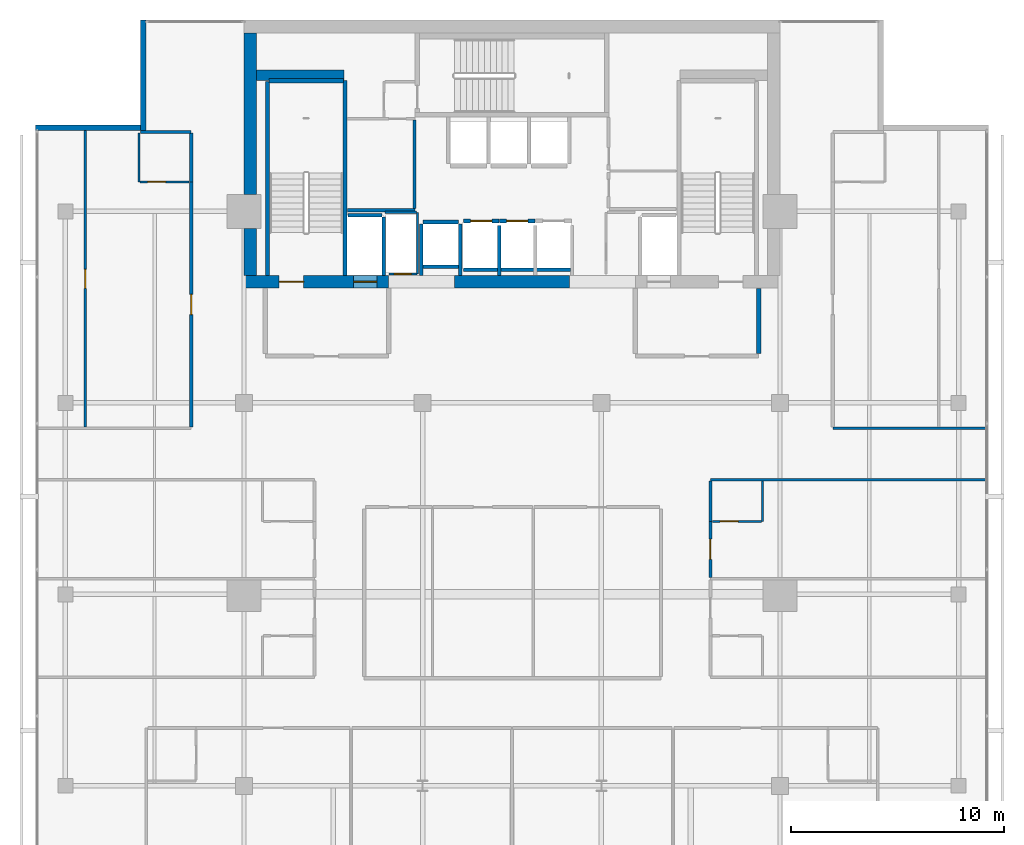
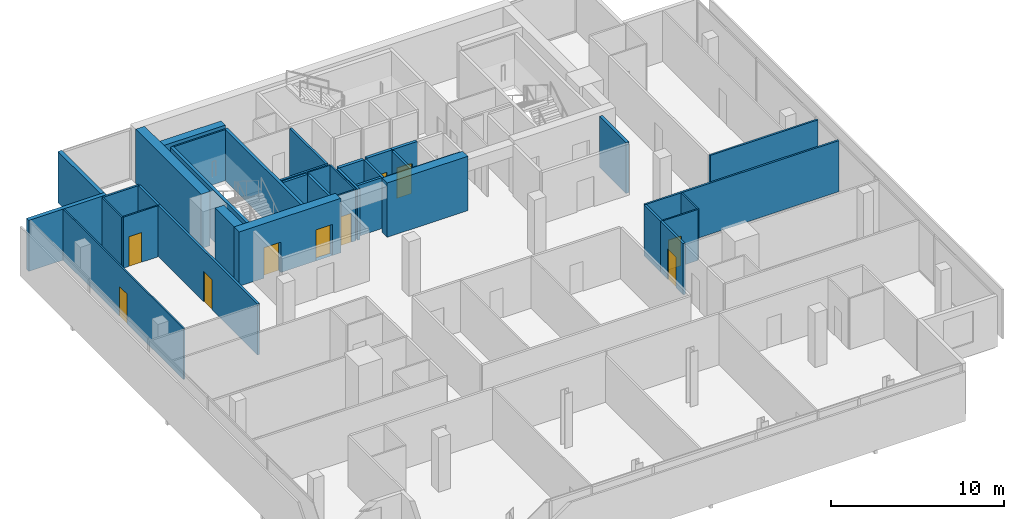
# One storey, part 21 of 25: 38 walls, 10 doors, 10 openings.
"""IFC4 building model written with IfcOpenShell, lengths in metres."""

from ifc_helpers import new_model, si_unit, direction, frame, frame_2d, origin, place, context, subcontext, project, spatial, rectangle, extrude, material, layer, layer_set, type_object, element, fill, save


model = new_model("IFC4")

# Units and contexts
model_context = context("Model", 3, precision=1e-05, world=origin(), true_north=direction((0.0, 1.0)))
body_context = subcontext(model_context, "Body", "Model", "MODEL_VIEW")
ifc_project = project(units=[si_unit("LENGTHUNIT", "METRE"), si_unit("AREAUNIT", "SQUARE_METRE"), si_unit("VOLUMEUNIT", "CUBIC_METRE"), si_unit("PLANEANGLEUNIT", "RADIAN"), si_unit("MASSUNIT", "GRAM", prefix="KILO")], contexts=[model_context])

# Site, building, storey
site_placement = place(None, origin())
site = spatial("IfcSite", under=ifc_project, at=site_placement, CompositionType="ELEMENT")
building_placement = place(site_placement, origin())
building = spatial("IfcBuilding", under=site, at=building_placement, Name="Maruvema Waterfront Hotel and Observation Tower", CompositionType="ELEMENT")
storey_placement = place(building_placement, frame((0.0, 0.0, 274.050048828125)))
storey = spatial("IfcBuildingStorey", under=building, at=storey_placement, Name="L67", CompositionType="ELEMENT", Elevation=274.050048828125)

# Walls
ifc_material_1 = material(Name="Twin-stud acoustic gypsum drywall", Category="gypsum")
ifc_layer_1 = layer(ifc_material_1, 0.14990234375, Name="Acoustic Corridor and Suite Demising Wall 150 mm")
ifc_layer_set_1 = layer_set([ifc_layer_1], Name="Twin-stud acoustic gypsum drywall")
wall_type_1 = type_object("IfcWallType", Name="Acoustic Corridor and Suite Demising Wall 150 mm", PredefinedType="PARTITIONING", material=ifc_layer_set_1)
wall_1_placement = place(storey_placement, frame((30.06005859375, 45.06005859375, 0.0), z_axis=(0.0, 0.0, 1.0), x_axis=(1.0, 0.0, 0.0)))
element("IfcWall", 1, at=wall_1_placement, inside=storey, type_object=wall_type_1, Name="L67 Freed B1 South Wall 012", PredefinedType="PARTITIONING", context=body_context, shape_type="SweptSolid", body=[
    extrude(rectangle(XDim=3.179931640625, YDim=0.14990234375, at=frame_2d((1.58984375, 0.0))), origin(), (0.0, 0.0, 1.0), 3.60986328125),
])
wall_2_placement = place(storey_placement, frame((33.219970703125, 45.139892578125, 0.0), z_axis=(0.0, 0.0, 1.0), x_axis=(0.0, 1.0, 0.0)))
element("IfcWall", 2, at=wall_2_placement, inside=storey, type_object=wall_type_1, Name="L67 Freed B1 East Wall 013", PredefinedType="PARTITIONING", context=body_context, shape_type="SweptSolid", body=[
    extrude(rectangle(XDim=4.16015625, YDim=0.14990234375, at=frame_2d((2.080078125, 0.0))), origin(), (0.0, 0.0, 1.0), 3.60986328125),
])

# Wall, opening, door
wall_3_placement = place(storey_placement, frame((47.1298828125, 27.800048828125, 0.0), z_axis=(0.0, 0.0, 1.0), x_axis=(0.0, 1.0, 0.0)))
wall_3 = element("IfcWall", 3, at=wall_3_placement, inside=storey, type_object=wall_type_1, Name="L67 Room L67-E2 Corridor Wall 062", PredefinedType="PARTITIONING", context=body_context, shape_type="SweptSolid", body=[
    extrude(rectangle(XDim=2.6298828125, YDim=0.14990234375, at=frame_2d((1.31494140625, 0.0))), origin(), (0.0, 0.0, 1.0), 3.60986328125),
])
opening_1_placement = place(wall_3_placement, frame((0.840087890625, 0.0, 0.0)))
opening_1 = element("IfcOpeningElement", 4, at=opening_1_placement, cuts=wall_3, Name="Opening DR-095", PredefinedType="OPENING", context=body_context, shape_type="SweptSolid", body=[
    extrude(rectangle(XDim=0.949951171875, YDim=2.14990234375, at=frame_2d((0.47509765625, 1.074951171875))), frame((0.0, 0.0849609375, 0.0), z_axis=(0.0, -1.0, 0.0), x_axis=(1.0, 0.0, 0.0)), (0.0, 0.0, 1.0), 0.169921875),
])
ifc_material_2 = material(Name="Acoustic solid-core hardwood timber leaf", Category="wood")
door_type_1 = type_object("IfcDoorType", Name="Guestroom Entrance Fire Door 950x2150 mm", OperationType="NOTDEFINED", PredefinedType="DOOR", material=ifc_material_2)
door_1_placement = place(opening_1_placement, frame((0.949951171875, 0.0, 0.0), z_axis=(0.0, 0.0, 1.0), x_axis=(-1.0, 0.0, 0.0)))
door_1 = element("IfcDoor", 5, at=door_1_placement, inside=storey, type_object=door_type_1, Name="L67 Room L67-E2 Entrance Door", OperationType="SINGLE_SWING_RIGHT", OverallHeight=2.14990234375, OverallWidth=0.949951171875, PredefinedType="DOOR", context=body_context, shape_type="SweptSolid", body=[
    extrude(rectangle(XDim=0.949951171875, YDim=2.14990234375, at=frame_2d((0.47509765625, 1.074951171875))), frame((0.0, 0.02490234375, 0.0), z_axis=(0.0, -1.0, 0.0), x_axis=(1.0, 0.0, 0.0)), (0.0, 0.0, 1.0), 0.050048828125),
])
fill(opening_1, door_1)

# Wall
wall_4_placement = place(storey_placement, frame((47.1298828125, 30.429931640625, 0.0), z_axis=(0.0, 0.0, 1.0), x_axis=(0.0, 1.0, 0.0)))
element("IfcWall", 6, at=wall_4_placement, inside=storey, type_object=wall_type_1, Name="L67 Bath L67-E2 Wall 063", PredefinedType="PARTITIONING", context=body_context, shape_type="SweptSolid", body=[
    extrude(rectangle(XDim=1.89013671875, YDim=0.14990234375, at=frame_2d((0.945068359375, 0.0))), origin(), (0.0, 0.0, 1.0), 3.60986328125),
])

# Wall, opening, door
wall_5_placement = place(storey_placement, frame((22.719970703125, 34.860107421875, 0.0), z_axis=(0.0, 0.0, 1.0), x_axis=(0.0, 1.0, 0.0)))
wall_5 = element("IfcWall", 7, at=wall_5_placement, inside=storey, type_object=wall_type_1, Name="L67 Room L67-NW1 Corridor Wall 070", PredefinedType="PARTITIONING", context=body_context, shape_type="SweptSolid", body=[
    extrude(rectangle(XDim=11.52734375, YDim=0.14990234375, at=frame_2d((5.763671875, 0.0))), origin(), (0.0, 0.0, 1.0), 3.60986328125),
])
opening_2_placement = place(wall_5_placement, frame((5.288818359375, 0.0, 0.0)))
opening_2 = element("IfcOpeningElement", 8, at=opening_2_placement, cuts=wall_5, Name="Opening DR-095", PredefinedType="OPENING", context=body_context, shape_type="SweptSolid", body=[
    extrude(rectangle(XDim=0.949951171875, YDim=2.14990234375, at=frame_2d((0.47509765625, 1.074951171875))), frame((0.0, 0.0849609375, 0.0), z_axis=(0.0, -1.0, 0.0), x_axis=(1.0, 0.0, 0.0)), (0.0, 0.0, 1.0), 0.169921875),
])
door_2_placement = place(opening_2_placement, origin())
door_2 = element("IfcDoor", 9, at=door_2_placement, inside=storey, type_object=door_type_1, Name="L67 Room L67-NW1 Entrance Door", OperationType="SINGLE_SWING_RIGHT", OverallHeight=2.14990234375, OverallWidth=0.949951171875, PredefinedType="DOOR", context=body_context, shape_type="SweptSolid", body=[
    extrude(rectangle(XDim=0.949951171875, YDim=2.14990234375, at=frame_2d((0.47509765625, 1.074951171875))), frame((0.0, 0.02490234375, 0.0), z_axis=(0.0, -1.0, 0.0), x_axis=(1.0, 0.0, 0.0)), (0.0, 0.0, 1.0), 0.050048828125),
])
fill(opening_2, door_2)

# Walls
wall_6_placement = place(storey_placement, frame((22.719970703125, 46.387451171875, 0.0), z_axis=(0.0, 0.0, 1.0), x_axis=(0.0, 1.0, 0.0)))
element("IfcWall", 10, at=wall_6_placement, inside=storey, type_object=wall_type_1, Name="L67 Bath L67-NW1 Wall 071", PredefinedType="PARTITIONING", context=body_context, shape_type="SweptSolid", body=[
    extrude(rectangle(XDim=2.2900390625, YDim=0.14990234375, at=frame_2d((1.14501953125, 0.0))), origin(), (0.0, 0.0, 1.0), 3.60986328125),
])
ifc_material_3 = material(Name="Precast concrete C45/55", Category="concrete")
ifc_layer_2 = layer(ifc_material_3, 0.199951171875, Name="Core Shaft and Stairwell Enclosure Wall 200 mm")
ifc_layer_set_2 = layer_set([ifc_layer_2], Name="Precast concrete C45/55")
wall_type_2 = type_object("IfcWallType", Name="Core Shaft and Stairwell Enclosure Wall 200 mm", PredefinedType="SOLIDWALL", material=ifc_layer_set_2)
wall_7_placement = place(storey_placement, frame((29.949951171875, 42.0, 0.0), z_axis=(0.0, 0.0, 1.0), x_axis=(0.0, 1.0, 0.0)))
element("IfcWall", 11, at=wall_7_placement, inside=storey, type_object=wall_type_2, Name="L67 Stairwell ST-01 East Shaft Wall", PredefinedType="SOLIDWALL", context=body_context, shape_type="SweptSolid", body=[
    extrude(rectangle(XDim=9.14990234375, YDim=0.199951171875, at=frame_2d((4.574951171875, 0.0))), origin(), (0.0, 0.0, 1.0), 3.60986328125),
])
wall_8_placement = place(storey_placement, frame((26.300048828125, 42.0, 0.0), z_axis=(0.0, 0.0, 1.0), x_axis=(0.0, 1.0, 0.0)))
element("IfcWall", 12, at=wall_8_placement, inside=storey, type_object=wall_type_2, Name="L67 Stairwell ST-01 Shaft Lining Wall", PredefinedType="SOLIDWALL", context=body_context, shape_type="SweptSolid", body=[
    extrude(rectangle(XDim=9.1201171875, YDim=0.199951171875, at=frame_2d((4.56005859375, 0.0))), origin(), (0.0, 0.0, 1.0), 3.60986328125),
])
wall_9_placement = place(storey_placement, frame((26.3798828125, 51.14990234375, 0.0), z_axis=(0.0, 0.0, 1.0), x_axis=(1.0, 0.0, 0.0)))
element("IfcWall", 13, at=wall_9_placement, inside=storey, type_object=wall_type_2, Name="L67 Stairwell ST-01 Shaft Lining Wall", PredefinedType="SOLIDWALL", context=body_context, shape_type="SweptSolid", body=[
    extrude(rectangle(XDim=3.5, YDim=0.199951171875, at=frame_2d((1.75, 0.0))), origin(), (0.0, 0.0, 1.0), 3.60986328125),
])

# Wall, opening, door
wall_10_placement = place(storey_placement, frame((35.510009765625, 44.550048828125, 0.0), z_axis=(0.0, 0.0, 1.0), x_axis=(1.0, 0.0, 0.0)))
wall_10 = element("IfcWall", 14, at=wall_10_placement, inside=storey, type_object=wall_type_2, Name="L67 Lift LF-09 Hoistway Front Wall", PredefinedType="SOLIDWALL", context=body_context, shape_type="SweptSolid", body=[
    extrude(rectangle(XDim=1.679931640625, YDim=0.199951171875, at=frame_2d((0.83984375, 0.0))), origin(), (0.0, 0.0, 1.0), 3.60986328125),
])
opening_3_placement = place(wall_10_placement, frame((0.340087890625, 0.0, 0.0)))
opening_3 = element("IfcOpeningElement", 15, at=opening_3_placement, cuts=wall_10, Name="Opening LD-01", PredefinedType="OPENING", context=body_context, shape_type="SweptSolid", body=[
    extrude(rectangle(XDim=1.0, YDim=2.14990234375, at=frame_2d((0.5, 1.074951171875))), frame((0.0, 0.10986328125, 0.0), z_axis=(0.0, -1.0, 0.0), x_axis=(1.0, 0.0, 0.0)), (0.0, 0.0, 1.0), 0.219970703125),
])
ifc_material_4 = material(Name="Brushed stainless steel Grade 316", Category="steel")
door_type_2 = type_object("IfcDoorType", Name="Passenger Lift Sliding Landing Door 1000x2150 mm", OperationType="SLIDING_TO_LEFT", PredefinedType="DOOR", material=ifc_material_4)
door_3_placement = place(opening_3_placement, origin())
door_3 = element("IfcDoor", 16, at=door_3_placement, inside=storey, type_object=door_type_2, Name="L67 Lift LF-09 Sliding Landing Door", OperationType="SLIDING_TO_LEFT", OverallHeight=2.14990234375, OverallWidth=1.0, PredefinedType="DOOR", context=body_context, shape_type="SweptSolid", body=[
    extrude(rectangle(XDim=1.0, YDim=2.14990234375, at=frame_2d((0.5, 1.074951171875))), frame((0.0, 0.02490234375, 0.0), z_axis=(0.0, -1.0, 0.0), x_axis=(1.0, 0.0, 0.0)), (0.0, 0.0, 1.0), 0.050048828125),
])
fill(opening_3, door_3)

wall_11_placement = place(storey_placement, frame((37.2099609375, 44.550048828125, 0.0), z_axis=(0.0, 0.0, 1.0), x_axis=(1.0, 0.0, 0.0)))
wall_11 = element("IfcWall", 17, at=wall_11_placement, inside=storey, type_object=wall_type_2, Name="L67 Lift LF-10 Hoistway Front Wall", PredefinedType="SOLIDWALL", context=body_context, shape_type="SweptSolid", body=[
    extrude(rectangle(XDim=1.679931640625, YDim=0.199951171875, at=frame_2d((0.83984375, 0.0))), origin(), (0.0, 0.0, 1.0), 3.60986328125),
])
opening_4_placement = place(wall_11_placement, frame((0.340087890625, 0.0, 0.0)))
opening_4 = element("IfcOpeningElement", 18, at=opening_4_placement, cuts=wall_11, Name="Opening LD-01", PredefinedType="OPENING", context=body_context, shape_type="SweptSolid", body=[
    extrude(rectangle(XDim=1.0, YDim=2.14990234375, at=frame_2d((0.5, 1.074951171875))), frame((0.0, 0.10986328125, 0.0), z_axis=(0.0, -1.0, 0.0), x_axis=(1.0, 0.0, 0.0)), (0.0, 0.0, 1.0), 0.219970703125),
])
door_4_placement = place(opening_4_placement, origin())
door_4 = element("IfcDoor", 19, at=door_4_placement, inside=storey, type_object=door_type_2, Name="L67 Lift LF-10 Sliding Landing Door", OperationType="SLIDING_TO_LEFT", OverallHeight=2.14990234375, OverallWidth=1.0, PredefinedType="DOOR", context=body_context, shape_type="SweptSolid", body=[
    extrude(rectangle(XDim=1.0, YDim=2.14990234375, at=frame_2d((0.5, 1.074951171875))), frame((0.0, 0.02490234375, 0.0), z_axis=(0.0, -1.0, 0.0), x_axis=(1.0, 0.0, 0.0)), (0.0, 0.0, 1.0), 0.050048828125),
])
fill(opening_4, door_4)

# Walls
wall_12_placement = place(storey_placement, frame((33.610107421875, 44.5, 0.0), z_axis=(0.0, 0.0, 1.0), x_axis=(1.0, 0.0, 0.0)))
element("IfcWall", 20, at=wall_12_placement, inside=storey, type_object=wall_type_2, Name="L67 Lift LF-15 Hoistway Front Wall", PredefinedType="SOLIDWALL", context=body_context, shape_type="SweptSolid", body=[
    extrude(rectangle(XDim=1.679931640625, YDim=0.199951171875, at=frame_2d((0.83984375, 0.0))), origin(), (0.0, 0.0, 1.0), 3.60986328125),
])
ifc_material_5 = material(Name="Concrete C70/85", Category="concrete")
ifc_layer_3 = layer(ifc_material_5, 0.5, Name="Core Shear Wall 500 mm")
ifc_layer_set_3 = layer_set([ifc_layer_3], Name="Concrete C70/85")
wall_type_3 = type_object("IfcWallType", Name="Core Shear Wall 500 mm", PredefinedType="SHEAR", material=ifc_layer_set_3)
wall_13_placement = place(storey_placement, frame((25.800048828125, 51.39990234375, 0.0), z_axis=(0.0, 0.0, 1.0), x_axis=(1.0, 0.0, 0.0)))
element("IfcWall", 21, at=wall_13_placement, inside=storey, type_object=wall_type_3, Name="L67 Internal Core Shear Wall NW 500 mm", PredefinedType="SHEAR", context=body_context, shape_type="SweptSolid", body=[
    extrude(rectangle(XDim=4.099853515625, YDim=0.5, at=frame_2d((2.0498046875, 0.0))), origin(), (0.0, 0.0, 1.0), 3.849853515625),
])

# Wall, openings, doors
ifc_material_6 = material(Name="Concrete C60/75", Category="concrete")
ifc_layer_4 = layer(ifc_material_6, 0.60009765625, Name="Core Shear Wall 600 mm")
ifc_layer_set_4 = layer_set([ifc_layer_4], Name="Concrete C60/75")
wall_type_4 = type_object("IfcWallType", Name="Core Shear Wall 600 mm", PredefinedType="SHEAR", material=ifc_layer_set_4)
wall_14_placement = place(storey_placement, frame((25.199951171875, 41.699951171875, 0.0), z_axis=(0.0, 0.0, 1.0), x_axis=(1.0, 0.0, 0.0)))
wall_14 = element("IfcWall", 22, at=wall_14_placement, inside=storey, type_object=wall_type_4, Name="L67 South-West Core Shear Wall", PredefinedType="SHEAR", context=body_context, shape_type="SweptSolid", body=[
    extrude(rectangle(XDim=6.800048828125, YDim=0.60009765625, at=frame_2d((3.39990234375, 0.0))), origin(), (0.0, 0.0, 1.0), 3.849853515625),
])
opening_5_placement = place(wall_14_placement, frame((1.64990234375, 0.0, 0.0)))
opening_5 = element("IfcOpeningElement", 23, at=opening_5_placement, cuts=wall_14, Name="Opening SD-01", PredefinedType="OPENING", context=body_context, shape_type="SweptSolid", body=[
    extrude(rectangle(XDim=1.14990234375, YDim=2.14990234375, at=frame_2d((0.574951171875, 1.074951171875))), frame((0.0, 0.31005859375, 0.0), z_axis=(0.0, -1.0, 0.0), x_axis=(1.0, 0.0, 0.0)), (0.0, 0.0, 1.0), 0.6201171875),
])
opening_6_placement = place(wall_14_placement, frame((5.14990234375, 0.0, 0.0)))
opening_6 = element("IfcOpeningElement", 24, at=opening_6_placement, cuts=wall_14, Name="Opening LD-03", PredefinedType="OPENING", context=body_context, shape_type="SweptSolid", body=[
    extrude(rectangle(XDim=1.10009765625, YDim=2.199951171875, at=frame_2d((0.550048828125, 1.10009765625))), frame((0.0, 0.31005859375, 0.0), z_axis=(0.0, -1.0, 0.0), x_axis=(1.0, 0.0, 0.0)), (0.0, 0.0, 1.0), 0.6201171875),
])
ifc_material_7 = material(Name="Fire-rated galvanised steel leaf", Category="steel")
door_type_3 = type_object("IfcDoorType", Name="Exit Stair Fire Door 1150x2150 mm", OperationType="NOTDEFINED", PredefinedType="DOOR", material=ifc_material_7)
door_5_placement = place(opening_5_placement, origin())
door_5 = element("IfcDoor", 25, at=door_5_placement, inside=storey, type_object=door_type_3, Name="L67 Exit Stair ST-01 Fire Door", OperationType="SINGLE_SWING_LEFT", OverallHeight=2.14990234375, OverallWidth=1.14990234375, PredefinedType="DOOR", context=body_context, shape_type="SweptSolid", body=[
    extrude(rectangle(XDim=1.14990234375, YDim=2.14990234375, at=frame_2d((0.574951171875, 1.074951171875))), frame((0.0, 0.02490234375, 0.0), z_axis=(0.0, -1.0, 0.0), x_axis=(1.0, 0.0, 0.0)), (0.0, 0.0, 1.0), 0.050048828125),
])
fill(opening_5, door_5)
ifc_material_8 = material(Name="Brushed stainless steel Grade 316", Category="steel")
door_type_4 = type_object("IfcDoorType", Name="Firefighting Lift Sliding Landing Door 1100x2200 mm", OperationType="SLIDING_TO_LEFT", PredefinedType="DOOR", material=ifc_material_8)
door_6_placement = place(opening_6_placement, frame((1.10009765625, 0.0, 0.0), z_axis=(0.0, 0.0, 1.0), x_axis=(-1.0, 0.0, 0.0)))
door_6 = element("IfcDoor", 26, at=door_6_placement, inside=storey, type_object=door_type_4, Name="L67 Firefighting Lift FL-01 Landing Door", OperationType="SLIDING_TO_LEFT", OverallHeight=2.199951171875, OverallWidth=1.10009765625, PredefinedType="DOOR", context=body_context, shape_type="SweptSolid", body=[
    extrude(rectangle(XDim=1.10009765625, YDim=2.199951171875, at=frame_2d((0.550048828125, 1.10009765625))), frame((0.0, 0.02490234375, 0.0), z_axis=(0.0, -1.0, 0.0), x_axis=(1.0, 0.0, 0.0)), (0.0, 0.0, 1.0), 0.050048828125),
])
fill(opening_6, door_6)

# Walls
wall_15_placement = place(storey_placement, frame((35.10009765625, 41.699951171875, 0.0), z_axis=(0.0, 0.0, 1.0), x_axis=(1.0, 0.0, 0.0)))
element("IfcWall", 27, at=wall_15_placement, inside=storey, type_object=wall_type_4, Name="L67 South-Central Core Shear Wall", PredefinedType="SHEAR", context=body_context, shape_type="SweptSolid", body=[
    extrude(rectangle(XDim=5.39990234375, YDim=0.60009765625, at=frame_2d((2.699951171875, 0.0))), origin(), (0.0, 0.0, 1.0), 3.849853515625),
])
wall_16_placement = place(storey_placement, frame((25.5, 42.0, 0.0), z_axis=(0.0, 0.0, 1.0), x_axis=(0.0, 1.0, 0.0)))
element("IfcWall", 28, at=wall_16_placement, inside=storey, type_object=wall_type_4, Name="L67 West-South Core Shear Wall", PredefinedType="SHEAR", context=body_context, shape_type="SweptSolid", body=[
    extrude(rectangle(XDim=2.199951171875, YDim=0.60009765625, at=frame_2d((1.10009765625, 0.0))), origin(), (0.0, 0.0, 1.0), 3.849853515625),
])
wall_17_placement = place(storey_placement, frame((25.5, 45.800048828125, 0.0), z_axis=(0.0, 0.0, 1.0), x_axis=(0.0, 1.0, 0.0)))
element("IfcWall", 29, at=wall_17_placement, inside=storey, type_object=wall_type_4, Name="L67 West-North Core Shear Wall", PredefinedType="SHEAR", context=body_context, shape_type="SweptSolid", body=[
    extrude(rectangle(XDim=7.599853515625, YDim=0.60009765625, at=frame_2d((3.7998046875, 0.0))), origin(), (0.0, 0.0, 1.0), 3.849853515625),
])

# Wall, opening, door
ifc_material_9 = material(Name="Moisture-resistant cement-board drywall", Category="gypsum")
ifc_layer_5 = layer(ifc_material_9, 0.10009765625, Name="En-Suite Moisture-Resistant Partition 100 mm")
ifc_layer_set_5 = layer_set([ifc_layer_5], Name="Moisture-resistant cement-board drywall")
wall_type_5 = type_object("IfcWallType", Name="En-Suite Moisture-Resistant Partition 100 mm", PredefinedType="PARTITIONING", material=ifc_layer_set_5)
wall_18_placement = place(storey_placement, frame((32.02001953125, 42.06005859375, 0.0), z_axis=(0.0, 0.0, 1.0), x_axis=(1.0, 0.0, 0.0)))
wall_18 = element("IfcWall", 30, at=wall_18_placement, inside=storey, type_object=wall_type_5, Name="L67 Telecom Riser South Wall 007", PredefinedType="PARTITIONING", context=body_context, shape_type="SweptSolid", body=[
    extrude(rectangle(XDim=1.320068359375, YDim=0.10009765625, at=frame_2d((0.66015625, 0.0))), origin(), (0.0, 0.0, 1.0), 3.60986328125),
])
opening_7_placement = place(wall_18_placement, frame((0.239990234375, 0.0, 0.0)))
opening_7 = element("IfcOpeningElement", 31, at=opening_7_placement, cuts=wall_18, Name="Opening DR-080", PredefinedType="OPENING", context=body_context, shape_type="SweptSolid", body=[
    extrude(rectangle(XDim=0.800048828125, YDim=2.050048828125, at=frame_2d((0.39990234375, 1.02490234375))), frame((0.0, 0.06005859375, 0.0), z_axis=(0.0, -1.0, 0.0), x_axis=(1.0, 0.0, 0.0)), (0.0, 0.0, 1.0), 0.1201171875),
])
ifc_material_10 = material(Name="Powder-coated steel access leaf", Category="steel")
door_type_5 = type_object("IfcDoorType", Name="Riser and Service Cupboard Door 800x2050 mm", OperationType="NOTDEFINED", PredefinedType="DOOR", material=ifc_material_10)
door_7_placement = place(opening_7_placement, frame((0.800048828125, 0.0, 0.0), z_axis=(0.0, 0.0, 1.0), x_axis=(-1.0, 0.0, 0.0)))
door_7 = element("IfcDoor", 32, at=door_7_placement, inside=storey, type_object=door_type_5, Name="L67 Telecom Riser Door", OperationType="SINGLE_SWING_RIGHT", OverallHeight=2.050048828125, OverallWidth=0.800048828125, PredefinedType="DOOR", context=body_context, shape_type="SweptSolid", body=[
    extrude(rectangle(XDim=0.800048828125, YDim=2.050048828125, at=frame_2d((0.39990234375, 1.02490234375))), frame((0.0, 0.02490234375, 0.0), z_axis=(0.0, -1.0, 0.0), x_axis=(1.0, 0.0, 0.0)), (0.0, 0.0, 1.0), 0.050048828125),
])
fill(opening_7, door_7)

# Walls
wall_19_placement = place(storey_placement, frame((31.840087890625, 44.9599609375, 0.0), z_axis=(0.0, 0.0, 1.0), x_axis=(1.0, 0.0, 0.0)))
element("IfcWall", 33, at=wall_19_placement, inside=storey, type_object=wall_type_5, Name="L67 Telecom Riser North Wall 008", PredefinedType="PARTITIONING", context=body_context, shape_type="SweptSolid", body=[
    extrude(rectangle(XDim=1.47998046875, YDim=0.10009765625, at=frame_2d((0.739990234375, 0.0))), origin(), (0.0, 0.0, 1.0), 3.60986328125),
])
wall_20_placement = place(storey_placement, frame((33.360107421875, 42.06005859375, 0.0), z_axis=(0.0, 0.0, 1.0), x_axis=(0.0, 1.0, 0.0)))
element("IfcWall", 34, at=wall_20_placement, inside=storey, type_object=wall_type_5, Name="L67 Telecom Riser East Wall 009", PredefinedType="PARTITIONING", context=body_context, shape_type="SweptSolid", body=[
    extrude(rectangle(XDim=2.8798828125, YDim=0.10009765625, at=frame_2d((1.43994140625, 0.0))), origin(), (0.0, 0.0, 1.0), 3.60986328125),
])
wall_21_placement = place(storey_placement, frame((49.580078125, 30.429931640625, 0.0), z_axis=(0.0, 0.0, 1.0), x_axis=(0.0, 1.0, 0.0)))
element("IfcWall", 35, at=wall_21_placement, inside=storey, type_object=wall_type_5, Name="L67 En-Suite L67-E2 E 064", PredefinedType="PARTITIONING", context=body_context, shape_type="SweptSolid", body=[
    extrude(rectangle(XDim=1.89013671875, YDim=0.10009765625, at=frame_2d((0.945068359375, 0.0))), origin(), (0.0, 0.0, 1.0), 3.60986328125),
])

# Wall, opening, door
wall_22_placement = place(storey_placement, frame((47.22998046875, 30.429931640625, 0.0), z_axis=(0.0, 0.0, 1.0), x_axis=(1.0, 0.0, 0.0)))
wall_22 = element("IfcWall", 36, at=wall_22_placement, inside=storey, type_object=wall_type_5, Name="L67 En-Suite L67-E2 S 065", PredefinedType="PARTITIONING", context=body_context, shape_type="SweptSolid", body=[
    extrude(rectangle(XDim=2.300048828125, YDim=0.10009765625, at=frame_2d((1.14990234375, 0.0))), origin(), (0.0, 0.0, 1.0), 3.60986328125),
])
opening_8_placement = place(wall_22_placement, frame((0.35009765625, 0.0, 0.0)))
opening_8 = element("IfcOpeningElement", 37, at=opening_8_placement, cuts=wall_22, Name="Opening DR-085", PredefinedType="OPENING", context=body_context, shape_type="SweptSolid", body=[
    extrude(rectangle(XDim=0.85009765625, YDim=2.10009765625, at=frame_2d((0.425048828125, 1.050048828125))), frame((0.0, 0.06005859375, 0.0), z_axis=(0.0, -1.0, 0.0), x_axis=(1.0, 0.0, 0.0)), (0.0, 0.0, 1.0), 0.1201171875),
])
ifc_material_11 = material(Name="Moisture-resistant solid timber leaf", Category="wood")
door_type_6 = type_object("IfcDoorType", Name="En-Suite Bathroom Door 850x2100 mm", OperationType="NOTDEFINED", PredefinedType="DOOR", material=ifc_material_11)
door_8_placement = place(opening_8_placement, frame((0.85009765625, 0.0, 0.0), z_axis=(0.0, 0.0, 1.0), x_axis=(-1.0, 0.0, 0.0)))
door_8 = element("IfcDoor", 38, at=door_8_placement, inside=storey, type_object=door_type_6, Name="L67 En-Suite L67-E2 Door", OperationType="SINGLE_SWING_LEFT", OverallHeight=2.10009765625, OverallWidth=0.85009765625, PredefinedType="DOOR", context=body_context, shape_type="SweptSolid", body=[
    extrude(rectangle(XDim=0.85009765625, YDim=2.10009765625, at=frame_2d((0.425048828125, 1.050048828125))), frame((0.0, 0.02490234375, 0.0), z_axis=(0.0, -1.0, 0.0), x_axis=(1.0, 0.0, 0.0)), (0.0, 0.0, 1.0), 0.050048828125),
])
fill(opening_8, door_8)

# Wall
wall_23_placement = place(storey_placement, frame((20.27001953125, 46.387451171875, 0.0), z_axis=(0.0, 0.0, 1.0), x_axis=(0.0, 1.0, 0.0)))
element("IfcWall", 39, at=wall_23_placement, inside=storey, type_object=wall_type_5, Name="L67 En-Suite L67-NW1 W 072", PredefinedType="PARTITIONING", context=body_context, shape_type="SweptSolid", body=[
    extrude(rectangle(XDim=2.2900390625, YDim=0.10009765625, at=frame_2d((1.14501953125, 0.0))), origin(), (0.0, 0.0, 1.0), 3.60986328125),
])

# Wall, opening, door
wall_24_placement = place(storey_placement, frame((20.320068359375, 46.387451171875, 0.0), z_axis=(0.0, 0.0, 1.0), x_axis=(1.0, 0.0, 0.0)))
wall_24 = element("IfcWall", 40, at=wall_24_placement, inside=storey, type_object=wall_type_5, Name="L67 En-Suite L67-NW1 S 073", PredefinedType="PARTITIONING", context=body_context, shape_type="SweptSolid", body=[
    extrude(rectangle(XDim=2.300048828125, YDim=0.10009765625, at=frame_2d((1.14990234375, 0.0))), origin(), (0.0, 0.0, 1.0), 3.60986328125),
])
opening_9_placement = place(wall_24_placement, frame((0.35009765625, 0.0, 0.0)))
opening_9 = element("IfcOpeningElement", 41, at=opening_9_placement, cuts=wall_24, Name="Opening DR-085", PredefinedType="OPENING", context=body_context, shape_type="SweptSolid", body=[
    extrude(rectangle(XDim=0.85009765625, YDim=2.10009765625, at=frame_2d((0.425048828125, 1.050048828125))), frame((0.0, 0.06005859375, 0.0), z_axis=(0.0, -1.0, 0.0), x_axis=(1.0, 0.0, 0.0)), (0.0, 0.0, 1.0), 0.1201171875),
])
door_9_placement = place(opening_9_placement, frame((0.85009765625, 0.0, 0.0), z_axis=(0.0, 0.0, 1.0), x_axis=(-1.0, 0.0, 0.0)))
door_9 = element("IfcDoor", 42, at=door_9_placement, inside=storey, type_object=door_type_6, Name="L67 En-Suite L67-NW1 Door", OperationType="SINGLE_SWING_LEFT", OverallHeight=2.10009765625, OverallWidth=0.85009765625, PredefinedType="DOOR", context=body_context, shape_type="SweptSolid", body=[
    extrude(rectangle(XDim=0.85009765625, YDim=2.10009765625, at=frame_2d((0.425048828125, 1.050048828125))), frame((0.0, 0.02490234375, 0.0), z_axis=(0.0, -1.0, 0.0), x_axis=(1.0, 0.0, 0.0)), (0.0, 0.0, 1.0), 0.050048828125),
])
fill(opening_9, door_9)

wall_25_placement = place(storey_placement, frame((17.737548828125, 34.860107421875, 0.0), z_axis=(0.0, 0.0, 1.0), x_axis=(0.0, 1.0, 0.0)))
wall_25 = element("IfcWall", 43, at=wall_25_placement, inside=storey, type_object=wall_type_5, Name="L67 Suite L67-NW1 Split 074", PredefinedType="PARTITIONING", context=body_context, shape_type="SweptSolid", body=[
    extrude(rectangle(XDim=13.9375, YDim=0.10009765625, at=frame_2d((6.96875, 0.0))), origin(), (0.0, 0.0, 1.0), 3.60986328125),
])
opening_10_placement = place(wall_25_placement, frame((6.518798828125, 0.0, 0.0)))
opening_10 = element("IfcOpeningElement", 44, at=opening_10_placement, cuts=wall_25, Name="Opening DR-090", PredefinedType="OPENING", context=body_context, shape_type="SweptSolid", body=[
    extrude(rectangle(XDim=0.89990234375, YDim=2.10009765625, at=frame_2d((0.449951171875, 1.050048828125))), frame((0.0, 0.06005859375, 0.0), z_axis=(0.0, -1.0, 0.0), x_axis=(1.0, 0.0, 0.0)), (0.0, 0.0, 1.0), 0.1201171875),
])
ifc_material_12 = material(Name="Solid-core lacquered timber leaf", Category="wood")
door_type_7 = type_object("IfcDoorType", Name="Accessible Toilet and Room Door 900x2100 mm", OperationType="NOTDEFINED", PredefinedType="DOOR", material=ifc_material_12)
door_10_placement = place(opening_10_placement, origin())
door_10 = element("IfcDoor", 45, at=door_10_placement, inside=storey, type_object=door_type_7, Name="L67 Suite L67-NW1 Bedroom Door", OperationType="SINGLE_SWING_LEFT", OverallHeight=2.10009765625, OverallWidth=0.89990234375, PredefinedType="DOOR", context=body_context, shape_type="SweptSolid", body=[
    extrude(rectangle(XDim=0.89990234375, YDim=2.10009765625, at=frame_2d((0.449951171875, 1.050048828125))), frame((0.0, 0.02490234375, 0.0), z_axis=(0.0, -1.0, 0.0), x_axis=(1.0, 0.0, 0.0)), (0.0, 0.0, 1.0), 0.050048828125),
])
fill(opening_10, door_10)

# Walls
ifc_material_13 = material(Name="Precast concrete C45/55 with honed Pernambuco granite facing", Category="masonry")
ifc_layer_6 = layer(ifc_material_13, 0.260009765625, Name="Exterior Granite Clad Spandrel and Pier Wall 260 mm")
ifc_layer_set_6 = layer_set([ifc_layer_6], Name="Precast concrete C45/55 with honed Pernambuco granite facing")
wall_type_6 = type_object("IfcWallType", Name="Exterior Granite Clad Spandrel and Pier Wall 260 mm", PredefinedType="SOLIDWALL", material=ifc_layer_set_6)
wall_26_placement = place(storey_placement, frame((20.469970703125, 48.800048828125, 0.0), z_axis=(0.0, 0.0, 1.0), x_axis=(0.0, 1.0, 0.0)))
element("IfcWall", 46, at=wall_26_placement, inside=storey, type_object=wall_type_6, Name="L67 Corner Notch Granite Pier Wall NW1", PredefinedType="SOLIDWALL", context=body_context, shape_type="SweptSolid", body=[
    extrude(rectangle(XDim=5.199951171875, YDim=0.260009765625, at=frame_2d((2.60009765625, 0.0))), origin(), (0.0, 0.0, 1.0), 3.60986328125),
])
wall_27_placement = place(storey_placement, frame((15.39990234375, 48.929931640625, 0.0), z_axis=(0.0, 0.0, 1.0), x_axis=(1.0, 0.0, 0.0)))
element("IfcWall", 47, at=wall_27_placement, inside=storey, type_object=wall_type_6, Name="L67 Corner Notch Granite Pier Wall NW2", PredefinedType="SOLIDWALL", context=body_context, shape_type="SweptSolid", body=[
    extrude(rectangle(XDim=5.2001953125, YDim=0.260009765625, at=frame_2d((2.60009765625, 0.0))), origin(), (0.0, 0.0, 1.0), 3.60986328125),
])
ifc_material_14 = material(Name="Autoclaved cellular concrete blockwork", Category="masonry")
ifc_layer_7 = layer(ifc_material_14, 0.199951171875, Name="Fire Compartment Masonry Wall 200 mm")
ifc_layer_set_7 = layer_set([ifc_layer_7], Name="Autoclaved cellular concrete blockwork")
wall_type_7 = type_object("IfcWallType", Name="Fire Compartment Masonry Wall 200 mm", PredefinedType="PARTITIONING", material=ifc_layer_set_7)
wall_28_placement = place(storey_placement, frame((49.39990234375, 38.31005859375, 0.0), z_axis=(0.0, 0.0, 1.0), x_axis=(0.0, 1.0, 0.0)))
element("IfcWall", 48, at=wall_28_placement, inside=storey, type_object=wall_type_7, Name="L67 FFL East East Wall 006", PredefinedType="PARTITIONING", context=body_context, shape_type="SweptSolid", body=[
    extrude(rectangle(XDim=3.06982421875, YDim=0.199951171875, at=frame_2d((1.534912109375, 0.0))), origin(), (0.0, 0.0, 1.0), 3.60986328125),
])
ifc_material_15 = material(Name="Acoustic gypsum plasterboard drywall", Category="gypsum")
ifc_layer_8 = layer(ifc_material_15, 0.125, Name="Guestroom Acoustic Demising Wall 125 mm")
ifc_layer_set_8 = layer_set([ifc_layer_8], Name="Acoustic gypsum plasterboard drywall")
wall_type_8 = type_object("IfcWallType", Name="Guestroom Acoustic Demising Wall 125 mm", PredefinedType="PARTITIONING", material=ifc_layer_set_8)
wall_29_placement = place(storey_placement, frame((47.1298828125, 32.3798828125, 0.0), z_axis=(0.0, 0.0, 1.0), x_axis=(1.0, 0.0, 0.0)))
element("IfcWall", 49, at=wall_29_placement, inside=storey, type_object=wall_type_8, Name="L67 Z3 E Top End 047", PredefinedType="PARTITIONING", context=body_context, shape_type="SweptSolid", body=[
    extrude(rectangle(XDim=12.97021484375, YDim=0.125, at=frame_2d((6.485107421875, 0.0))), origin(), (0.0, 0.0, 1.0), 3.60986328125),
])
wall_30_placement = place(storey_placement, frame((52.8798828125, 34.800048828125, 0.0), z_axis=(0.0, 0.0, 1.0), x_axis=(1.0, 0.0, 0.0)))
element("IfcWall", 50, at=wall_30_placement, inside=storey, type_object=wall_type_8, Name="L67 Z3 NE Bot End 067", PredefinedType="PARTITIONING", context=body_context, shape_type="SweptSolid", body=[
    extrude(rectangle(XDim=7.22021484375, YDim=0.125, at=frame_2d((3.610107421875, 0.0))), origin(), (0.0, 0.0, 1.0), 3.60986328125),
])
wall_31_placement = place(storey_placement, frame((20.340087890625, 48.737548828125, 0.0), z_axis=(0.0, 0.0, 1.0), x_axis=(1.0, 0.0, 0.0)))
element("IfcWall", 51, at=wall_31_placement, inside=storey, type_object=wall_type_8, Name="L67 Z3 NW Top End 068", PredefinedType="PARTITIONING", context=body_context, shape_type="SweptSolid", body=[
    extrude(rectangle(XDim=2.3798828125, YDim=0.125, at=frame_2d((1.18994140625, 0.0))), origin(), (0.0, 0.0, 1.0), 3.60986328125),
])
ifc_material_16 = material(Name="Precast concrete C45/55", Category="concrete")
ifc_layer_9 = layer(ifc_material_16, 0.159912109375, Name="Lift Hoistway Divider Wall 160 mm")
ifc_layer_set_9 = layer_set([ifc_layer_9], Name="Precast concrete C45/55")
wall_type_9 = type_object("IfcWallType", Name="Lift Hoistway Divider Wall 160 mm", PredefinedType="SOLIDWALL", material=ifc_layer_set_9)
wall_32_placement = place(storey_placement, frame((30.10009765625, 44.830078125, 0.0), z_axis=(0.0, 0.0, 1.0), x_axis=(1.0, 0.0, 0.0)))
element("IfcWall", 52, at=wall_32_placement, inside=storey, type_object=wall_type_9, Name="L67 Lift FL-01 Rear Hoistway Wall", PredefinedType="SOLIDWALL", context=body_context, shape_type="SweptSolid", body=[
    extrude(rectangle(XDim=1.599853515625, YDim=0.159912109375, at=frame_2d((0.7998046875, 0.0))), origin(), (0.0, 0.0, 1.0), 3.60986328125),
])
wall_33_placement = place(storey_placement, frame((31.780029296875, 42.0, 0.0), z_axis=(0.0, 0.0, 1.0), x_axis=(0.0, 1.0, 0.0)))
element("IfcWall", 53, at=wall_33_placement, inside=storey, type_object=wall_type_9, Name="L67 Lift FL-01 Inner Hoistway Wall", PredefinedType="SOLIDWALL", context=body_context, shape_type="SweptSolid", body=[
    extrude(rectangle(XDim=2.739990234375, YDim=0.159912109375, at=frame_2d((1.3701171875, 0.0))), origin(), (0.0, 0.0, 1.0), 3.60986328125),
])
wall_34_placement = place(storey_placement, frame((37.199951171875, 42.0, 0.0), z_axis=(0.0, 0.0, 1.0), x_axis=(0.0, 1.0, 0.0)))
element("IfcWall", 54, at=wall_34_placement, inside=storey, type_object=wall_type_9, Name="L67 Hoistway Divider Wall", PredefinedType="SOLIDWALL", context=body_context, shape_type="SweptSolid", body=[
    extrude(rectangle(XDim=2.35009765625, YDim=0.159912109375, at=frame_2d((1.175048828125, 0.0))), origin(), (0.0, 0.0, 1.0), 3.60986328125),
])
wall_35_placement = place(storey_placement, frame((35.52001953125, 42.260009765625, 0.0), z_axis=(0.0, 0.0, 1.0), x_axis=(1.0, 0.0, 0.0)))
element("IfcWall", 55, at=wall_35_placement, inside=storey, type_object=wall_type_9, Name="L67 Hoistway Divider Wall", PredefinedType="SOLIDWALL", context=body_context, shape_type="SweptSolid", body=[
    extrude(rectangle(XDim=5.02001953125, YDim=0.159912109375, at=frame_2d((2.510009765625, 0.0))), origin(), (0.0, 0.0, 1.0), 3.60986328125),
])
for number, where, z_axis, x_axis, name in (
    (56, (33.5400390625, 42.0, 0.0), (0.0, 0.0, 1.0), (0.0, 1.0, 0.0), "L67 Hoistway Divider Wall"),
    (57, (35.360107421875, 42.0, 0.0), (0.0, 0.0, 1.0), (0.0, 1.0, 0.0), "L67 Hoistway Divider Wall"),
):
    element("IfcWall", number, at=place(storey_placement, frame(where, z_axis=z_axis, x_axis=x_axis)), inside=storey, type_object=wall_type_9, Name=name, PredefinedType="SOLIDWALL", context=body_context, shape_type="SweptSolid", body=[
        extrude(rectangle(XDim=2.39990234375, YDim=0.159912109375, at=frame_2d((1.199951171875, 0.0))), origin(), (0.0, 0.0, 1.0), 3.60986328125),
    ])
wall_36_placement = place(storey_placement, frame((33.6201171875, 42.39990234375, 0.0), z_axis=(0.0, 0.0, 1.0), x_axis=(1.0, 0.0, 0.0)))
element("IfcWall", 58, at=wall_36_placement, inside=storey, type_object=wall_type_9, Name="L67 Hoistway Divider Wall", PredefinedType="SOLIDWALL", context=body_context, shape_type="SweptSolid", body=[
    extrude(rectangle(XDim=1.659912109375, YDim=0.159912109375, at=frame_2d((0.830078125, 0.0))), origin(), (0.0, 0.0, 1.0), 3.60986328125),
])

save(model, "model.ifc")
